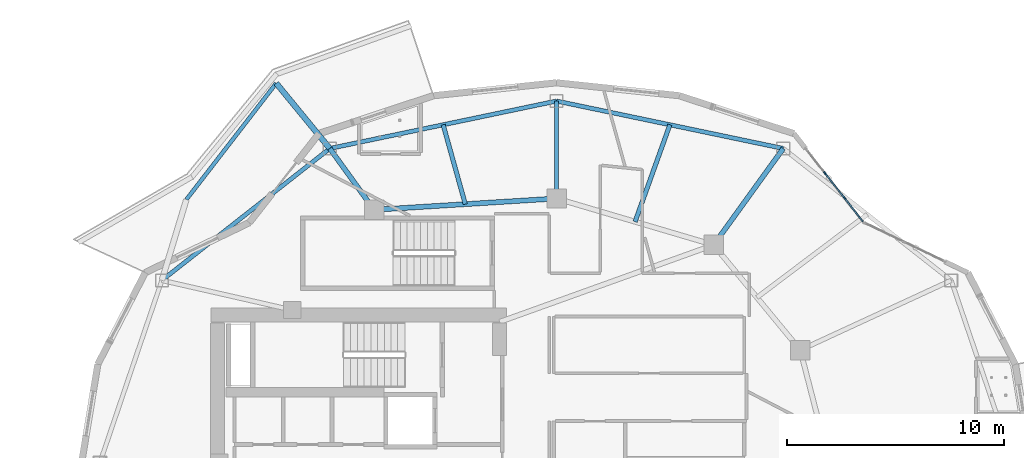
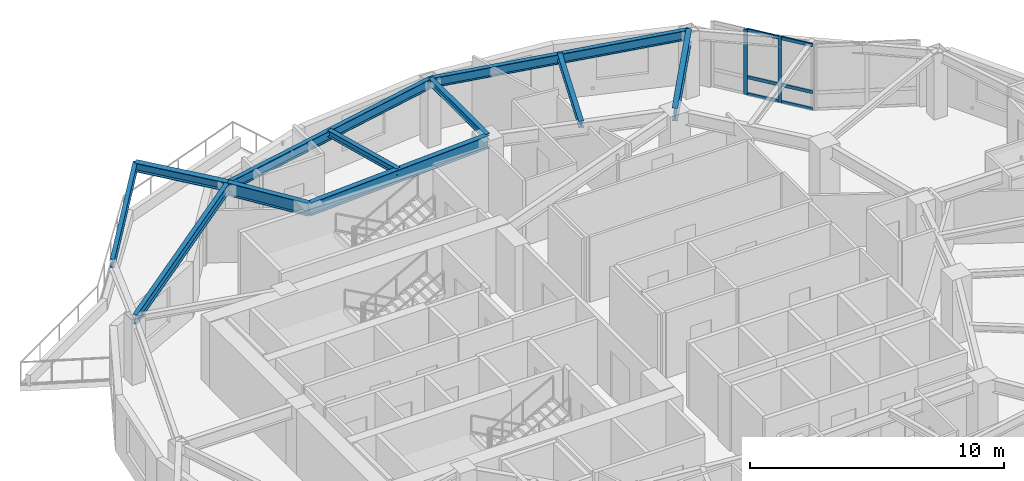
# One storey, part 5 of 19: 11 beams, 8 members, 1 element without a shape of its own.
"""IFC4 building model written with IfcOpenShell, lengths in metres."""

from ifc_helpers import new_model, si_unit, direction, frame, origin, origin_2d, place, context, subcontext, project, spatial, rectangle, i_section, extrude, material, layer, layer_set, material_profile, profile_set, type_object, element, aggregate, save


model = new_model("IFC4")

# Units and contexts
model_context = context("Model", 3, precision=1e-05, world=origin(), true_north=direction((0.0, 1.0)))
body_context = subcontext(model_context, "Body", "Model", "MODEL_VIEW")
ifc_project = project(units=[si_unit("LENGTHUNIT", "METRE"), si_unit("AREAUNIT", "SQUARE_METRE"), si_unit("VOLUMEUNIT", "CUBIC_METRE"), si_unit("PLANEANGLEUNIT", "RADIAN"), si_unit("MASSUNIT", "GRAM", prefix="KILO")], contexts=[model_context])

# Site, building, storey
site_placement = place(None, origin())
site = spatial("IfcSite", under=ifc_project, at=site_placement, CompositionType="ELEMENT")
building_placement = place(site_placement, origin())
building = spatial("IfcBuilding", under=site, at=building_placement, Name="Kolvaren Gate Tower and Convention Centre", CompositionType="ELEMENT")
storey_placement = place(building_placement, frame((0.0, 0.0, 169.89990234375)))
storey = spatial("IfcBuildingStorey", under=building, at=storey_placement, Name="L44", CompositionType="ELEMENT", Elevation=169.89990234375)

# Curtain wall, members
ifc_material_1 = material(Name="Anodized Architectural Aluminium Alloy 6063-T6", Category="aluminium")
ifc_layer = layer(ifc_material_1, 0.159912109375)
ifc_layer_set = layer_set([ifc_layer], Name="Anodized Architectural Aluminium Alloy 6063-T6")
curtain_wall_type = type_object("IfcCurtainWallType", Name="CW-HTL-UNIT", PredefinedType="NOTDEFINED", material=ifc_layer_set)
curtain_wall_placement = place(storey_placement, origin())
curtain_wall = element("IfcCurtainWall", 1, at=curtain_wall_placement, inside=storey, type_object=curtain_wall_type, Name="Tower L44 Unitised Curtain Wall CW-HTL-UNIT Bay 03", PredefinedType="NOTDEFINED")
ifc_material_profile_1 = material_profile(ifc_material_1, rectangle(XDim=0.06494140625, YDim=0.159912109375, at=origin_2d()), Name="CW-MEM-MUL-160")
ifc_profile_set_1 = profile_set([ifc_material_profile_1], Name="Anodized Architectural Aluminium Alloy 6063-T6")
member_type_1 = type_object("IfcMemberType", Name="CW-MEM-MUL-160", PredefinedType="MULLION", material=ifc_profile_set_1)
member_1_placement = place(storey_placement, frame((42.527099609375, 40.367919921875, 0.0), z_axis=(0.0, 0.0, 1.0), x_axis=(0.787403535469, 0.616437890084, 0.0)))
member_1 = element("IfcMember", 2, at=member_1_placement, type_object=member_type_1, Name="CW-03 mullion 2", PredefinedType="MULLION", context=body_context, shape_type="SweptSolid", body=[
    extrude(rectangle(XDim=0.06494140625, YDim=0.159912109375, at=origin_2d()), origin(), (0.0, 0.0, 1.0), 3.130126953125),
])
member_2_placement = place(storey_placement, frame((43.420166015625, 39.22705078125, 0.0), z_axis=(0.0, 0.0, 1.0), x_axis=(0.787403535469, 0.616437890084, 0.0)))
member_2 = element("IfcMember", 3, at=member_2_placement, type_object=member_type_1, Name="CW-03 mullion 3", PredefinedType="MULLION", context=body_context, shape_type="SweptSolid", body=[
    extrude(rectangle(XDim=0.06494140625, YDim=0.159912109375, at=origin_2d()), origin(), (0.0, 0.0, 1.0), 3.130126953125),
])
ifc_material_profile_2 = material_profile(ifc_material_1, rectangle(XDim=0.06494140625, YDim=0.159912109375, at=origin_2d()), Name="CW-MEM-TRN-160")
ifc_profile_set_2 = profile_set([ifc_material_profile_2], Name="Anodized Architectural Aluminium Alloy 6063-T6")
member_type_2 = type_object("IfcMemberType", Name="CW-MEM-TRN-160", PredefinedType="USERDEFINED", material=ifc_profile_set_2)
member_3_placement = place(storey_placement, frame((42.547119140625, 40.34228515625, 0.03271484375), z_axis=(0.616355825524, -0.787467774796, 0.0), x_axis=(0.787467774796, 0.616355825524, 0.0)))
member_3 = element("IfcMember", 4, at=member_3_placement, type_object=member_type_2, Name="CW-03 transom 2.1", ObjectType="TRANSOM", PredefinedType="USERDEFINED", context=body_context, shape_type="SweptSolid", body=[
    extrude(rectangle(XDim=0.06494140625, YDim=0.159912109375, at=origin_2d()), origin(), (0.0, 0.0, 1.0), 1.384033203125),
])
member_4_placement = place(storey_placement, frame((42.547119140625, 40.34228515625, 0.85009765625), z_axis=(0.616355825524, -0.787467774796, 0.0), x_axis=(0.787467774796, 0.616355825524, 0.0)))
member_4 = element("IfcMember", 5, at=member_4_placement, type_object=member_type_2, Name="CW-03 transom 2.2", ObjectType="TRANSOM", PredefinedType="USERDEFINED", context=body_context, shape_type="SweptSolid", body=[
    extrude(rectangle(XDim=0.06494140625, YDim=0.159912109375, at=origin_2d()), origin(), (0.0, 0.0, 1.0), 1.384033203125),
])
member_5_placement = place(storey_placement, frame((42.547119140625, 40.34228515625, 3.09765625), z_axis=(0.616355825524, -0.787467774796, 0.0), x_axis=(0.787467774796, 0.616355825524, 0.0)))
member_5 = element("IfcMember", 6, at=member_5_placement, type_object=member_type_2, Name="CW-03 transom 2.3", ObjectType="TRANSOM", PredefinedType="USERDEFINED", context=body_context, shape_type="SweptSolid", body=[
    extrude(rectangle(XDim=0.06494140625, YDim=0.159912109375, at=origin_2d()), origin(), (0.0, 0.0, 1.0), 1.384033203125),
])
member_6_placement = place(storey_placement, frame((43.440185546875, 39.201416015625, 0.03271484375), z_axis=(0.616488451497, -0.787363949626, 0.0), x_axis=(0.787363949626, 0.616488451497, 0.0)))
member_6 = element("IfcMember", 7, at=member_6_placement, type_object=member_type_2, Name="CW-03 transom 3.1", ObjectType="TRANSOM", PredefinedType="USERDEFINED", context=body_context, shape_type="SweptSolid", body=[
    extrude(rectangle(XDim=0.06494140625, YDim=0.159912109375, at=origin_2d()), origin(), (0.0, 0.0, 1.0), 1.3515625),
])
member_7_placement = place(storey_placement, frame((43.440185546875, 39.201416015625, 0.85009765625), z_axis=(0.616488451497, -0.787363949626, 0.0), x_axis=(0.787363949626, 0.616488451497, 0.0)))
member_7 = element("IfcMember", 8, at=member_7_placement, type_object=member_type_2, Name="CW-03 transom 3.2", ObjectType="TRANSOM", PredefinedType="USERDEFINED", context=body_context, shape_type="SweptSolid", body=[
    extrude(rectangle(XDim=0.06494140625, YDim=0.159912109375, at=origin_2d()), origin(), (0.0, 0.0, 1.0), 1.3515625),
])
member_8_placement = place(storey_placement, frame((43.440185546875, 39.201416015625, 3.09765625), z_axis=(0.616488451497, -0.787363949626, 0.0), x_axis=(0.787363949626, 0.616488451497, 0.0)))
member_8 = element("IfcMember", 9, at=member_8_placement, type_object=member_type_2, Name="CW-03 transom 3.3", ObjectType="TRANSOM", PredefinedType="USERDEFINED", context=body_context, shape_type="SweptSolid", body=[
    extrude(rectangle(XDim=0.06494140625, YDim=0.159912109375, at=origin_2d()), origin(), (0.0, 0.0, 1.0), 1.3515625),
])
aggregate(curtain_wall, [member_1, member_2, member_3, member_4, member_5, member_6, member_7, member_8])

# Beams
ifc_material_2 = material(Name="Structural steel ASTM A992 Grade 345 MPa", Category="steel")
ifc_material_profile_3 = material_profile(ifc_material_2, i_section(OverallWidth=0.260009765625, OverallDepth=0.419921875, WebThickness=0.013427734375, FlangeThickness=0.0224609375, at=origin_2d()), Name="W410X132")
ifc_profile_set_3 = profile_set([ifc_material_profile_3], Name="Structural steel ASTM A992 Grade 345 MPa")
beam_type_1 = type_object("IfcBeamType", Name="STR-BM-W410X132", PredefinedType="BEAM", material=ifc_profile_set_3)
beam_1_placement = place(storey_placement, frame((19.65380859375, 41.509521484375, 2.920654296875), z_axis=(-0.634372247597, 0.773027717148, 0.0), x_axis=(-0.773027717148, -0.634372247597, 0.0)))
element("IfcBeam", 10, at=beam_1_placement, inside=storey, type_object=beam_type_1, Name="Tower L45 Planted Balcony Outrigger Cantilever BC-1A", PredefinedType="BEAM", context=body_context, shape_type="SweptSolid", body=[
    extrude(i_section(OverallWidth=0.260009765625, OverallDepth=0.419921875, WebThickness=0.013427734375, FlangeThickness=0.0224609375, at=origin_2d()), origin(), (0.0, 0.0, 1.0), 3.900146484375),
])
ifc_material_profile_4 = material_profile(ifc_material_2, i_section(OverallWidth=0.22998046875, OverallDepth=0.616943359375, WebThickness=0.01318359375, FlangeThickness=0.022216796875, at=origin_2d()), Name="W610X140")
ifc_profile_set_4 = profile_set([ifc_material_profile_4], Name="Structural steel ASTM A992 Grade 345 MPa")
beam_type_2 = type_object("IfcBeamType", Name="STR-BM-W610X140", PredefinedType="BEAM", material=ifc_profile_set_4)
beam_2_placement = place(storey_placement, frame((30.125, 39.199951171875, 2.821533203125), z_axis=(-0.998078258568, -0.06196603726, 0.0), x_axis=(0.06196603726, -0.998078258568, 0.0)))
element("IfcBeam", 11, at=beam_2_placement, inside=storey, type_object=beam_type_2, Name="Tower L44 Primary Ring Girder G-04", PredefinedType="BEAM", context=body_context, shape_type="SweptSolid", body=[
    extrude(i_section(OverallWidth=0.22998046875, OverallDepth=0.616943359375, WebThickness=0.01318359375, FlangeThickness=0.022216796875, at=origin_2d()), origin(), (0.0, 0.0, 1.0), 8.443115234375),
])
beam_3_placement = place(storey_placement, frame((37.381591796875, 37.054931640625, 2.821533203125), z_axis=(0.58520818289, 0.810883088169, 0.0), x_axis=(-0.810883088169, 0.58520818289, 0.0)))
element("IfcBeam", 12, at=beam_3_placement, inside=storey, type_object=beam_type_2, Name="Tower L44 Radial Floor Girder RB-03", PredefinedType="BEAM", context=body_context, shape_type="SweptSolid", body=[
    extrude(i_section(OverallWidth=0.22998046875, OverallDepth=0.616943359375, WebThickness=0.01318359375, FlangeThickness=0.022216796875, at=origin_2d()), origin(), (0.0, 0.0, 1.0), 5.493408203125),
])
beam_4_placement = place(storey_placement, frame((21.697998046875, 38.6767578125, 2.821533203125), z_axis=(-0.585171547435, 0.810909526441, 0.0), x_axis=(-0.810909526441, -0.585171547435, 0.0)))
element("IfcBeam", 13, at=beam_4_placement, inside=storey, type_object=beam_type_2, Name="Tower L44 Radial Floor Girder RB-05", PredefinedType="BEAM", context=body_context, shape_type="SweptSolid", body=[
    extrude(i_section(OverallWidth=0.22998046875, OverallDepth=0.616943359375, WebThickness=0.01318359375, FlangeThickness=0.022216796875, at=origin_2d()), origin(), (0.0, 0.0, 1.0), 3.493408203125),
])
ifc_material_profile_5 = material_profile(ifc_material_2, i_section(OverallWidth=0.205078125, OverallDepth=0.31005859375, WebThickness=0.009521484375, FlangeThickness=0.016357421875, at=origin_2d()), Name="W310X74")
ifc_profile_set_5 = profile_set([ifc_material_profile_5], Name="Structural steel ASTM A992 Grade 345 MPa")
beam_type_3 = type_object("IfcBeamType", Name="STR-JS-W310X74", PredefinedType="JOIST", material=ifc_profile_set_5)
beam_5_placement = place(storey_placement, frame((30.125, 39.199951171875, 2.97509765625), z_axis=(0.0, 1.0, 0.0), x_axis=(-1.0, 0.0, 0.0)))
element("IfcBeam", 14, at=beam_5_placement, inside=storey, type_object=beam_type_3, Name="Tower L44 Radial Floor Girder RB-04", PredefinedType="JOIST", context=body_context, shape_type="SweptSolid", body=[
    extrude(i_section(OverallWidth=0.205078125, OverallDepth=0.31005859375, WebThickness=0.009521484375, FlangeThickness=0.016357421875, at=origin_2d()), origin(), (0.0, 0.0, 1.0), 4.5),
])
beam_6_placement = place(storey_placement, frame((33.75341796875, 38.12744140625, 2.97509765625), z_axis=(0.33785426197, 0.941198436924, 0.0), x_axis=(-0.941198436924, 0.33785426197, 0.0)))
element("IfcBeam", 15, at=beam_6_placement, inside=storey, type_object=beam_type_3, Name="Tower L44 Secondary Composite Floor Joist J-03.1", PredefinedType="JOIST", context=body_context, shape_type="SweptSolid", body=[
    extrude(i_section(OverallWidth=0.205078125, OverallDepth=0.31005859375, WebThickness=0.009521484375, FlangeThickness=0.016357421875, at=origin_2d()), origin(), (0.0, 0.0, 1.0), 4.757080078125),
])
beam_7_placement = place(storey_placement, frame((25.91162109375, 38.938232421875, 2.97509765625), z_axis=(-0.26855678261, 0.963263855085, 0.0), x_axis=(-0.963263855085, -0.26855678261, 0.0)))
element("IfcBeam", 16, at=beam_7_placement, inside=storey, type_object=beam_type_3, Name="Tower L44 Secondary Composite Floor Joist J-04.1", PredefinedType="JOIST", context=body_context, shape_type="SweptSolid", body=[
    extrude(i_section(OverallWidth=0.205078125, OverallDepth=0.31005859375, WebThickness=0.009521484375, FlangeThickness=0.016357421875, at=origin_2d()), origin(), (0.0, 0.0, 1.0), 3.806396484375),
])
ifc_material_profile_6 = material_profile(ifc_material_2, i_section(OverallWidth=0.180908203125, OverallDepth=0.4169921875, WebThickness=0.010986328125, FlangeThickness=0.018310546875, at=origin_2d()), Name="W410X85")
ifc_profile_set_6 = profile_set([ifc_material_profile_6], Name="Structural steel ASTM A992 Grade 345 MPa")
beam_type_4 = type_object("IfcBeamType", Name="STR-SP-W410X85", PredefinedType="SPANDREL", material=ifc_profile_set_6)
beam_8_placement = place(storey_placement, frame((17.1796875, 44.5244140625, 2.922119140625), z_axis=(-0.611228468279, -0.791454205602, 0.0), x_axis=(0.791454205602, -0.611228468279, 0.0)))
element("IfcBeam", 17, at=beam_8_placement, inside=storey, type_object=beam_type_4, Name="Tower L45 Planted Balcony Header Tie Beam BT-1", PredefinedType="SPANDREL", context=body_context, shape_type="SweptSolid", body=[
    extrude(i_section(OverallWidth=0.180908203125, OverallDepth=0.4169921875, WebThickness=0.010986328125, FlangeThickness=0.018310546875, at=origin_2d()), origin(), (0.0, 0.0, 1.0), 6.78955078125),
])
ifc_material_profile_7 = material_profile(ifc_material_2, i_section(OverallWidth=0.194091796875, OverallDepth=0.468994140625, WebThickness=0.0126953125, FlangeThickness=0.0205078125, at=origin_2d()), Name="W460X106")
ifc_profile_set_7 = profile_set([ifc_material_profile_7], Name="Structural steel ASTM A992 Grade 345 MPa")
beam_type_5 = type_object("IfcBeamType", Name="STR-SP-W460X106", PredefinedType="SPANDREL", material=ifc_profile_set_7)
beam_9_placement = place(storey_placement, frame((40.596435546875, 41.509521484375, 2.8955078125), z_axis=(-0.978814350133, 0.204749769168, 0.0), x_axis=(-0.204749769168, -0.978814350133, 0.0)))
element("IfcBeam", 18, at=beam_9_placement, inside=storey, type_object=beam_type_5, Name="Tower L44 Perimeter Spandrel Beam SP-03", PredefinedType="SPANDREL", context=body_context, shape_type="SweptSolid", body=[
    extrude(i_section(OverallWidth=0.194091796875, OverallDepth=0.468994140625, WebThickness=0.0126953125, FlangeThickness=0.0205078125, at=origin_2d()), origin(), (0.0, 0.0, 1.0), 10.697998046875),
])
beam_10_placement = place(storey_placement, frame((30.125, 43.699951171875, 2.8955078125), z_axis=(-0.978813393389, -0.204754342865, 0.0), x_axis=(0.204754342865, -0.978813393389, 0.0)))
element("IfcBeam", 19, at=beam_10_placement, inside=storey, type_object=beam_type_5, Name="Tower L44 Perimeter Spandrel Beam SP-04", PredefinedType="SPANDREL", context=body_context, shape_type="SweptSolid", body=[
    extrude(i_section(OverallWidth=0.194091796875, OverallDepth=0.468994140625, WebThickness=0.0126953125, FlangeThickness=0.0205078125, at=origin_2d()), origin(), (0.0, 0.0, 1.0), 10.69775390625),
])
beam_11_placement = place(storey_placement, frame((19.65380859375, 41.509521484375, 2.8955078125), z_axis=(-0.786460066421, -0.617641128752, 0.0), x_axis=(0.617641128752, -0.786460066421, 0.0)))
element("IfcBeam", 20, at=beam_11_placement, inside=storey, type_object=beam_type_5, Name="Tower L44 Perimeter Spandrel Beam SP-05", PredefinedType="SPANDREL", context=body_context, shape_type="SweptSolid", body=[
    extrude(i_section(OverallWidth=0.194091796875, OverallDepth=0.468994140625, WebThickness=0.0126953125, FlangeThickness=0.0205078125, at=origin_2d()), origin(), (0.0, 0.0, 1.0), 9.861328125),
])

save(model, "model.ifc")
